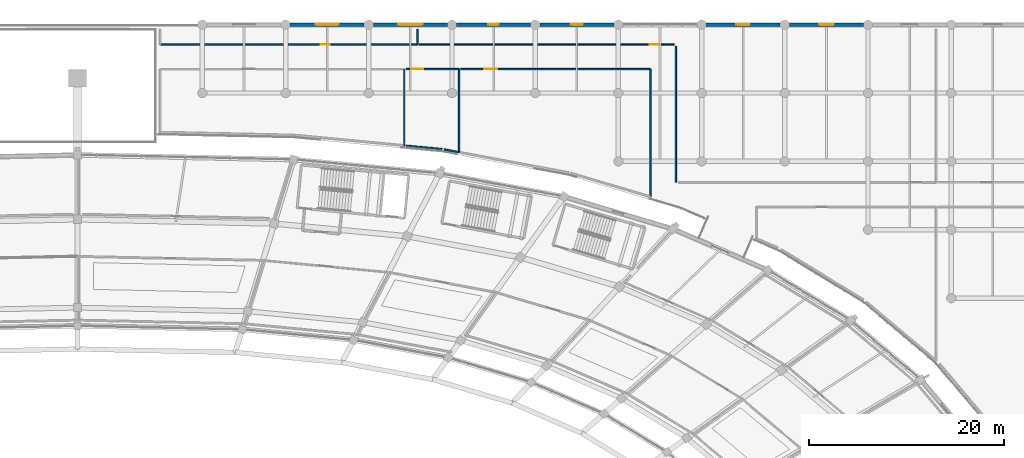
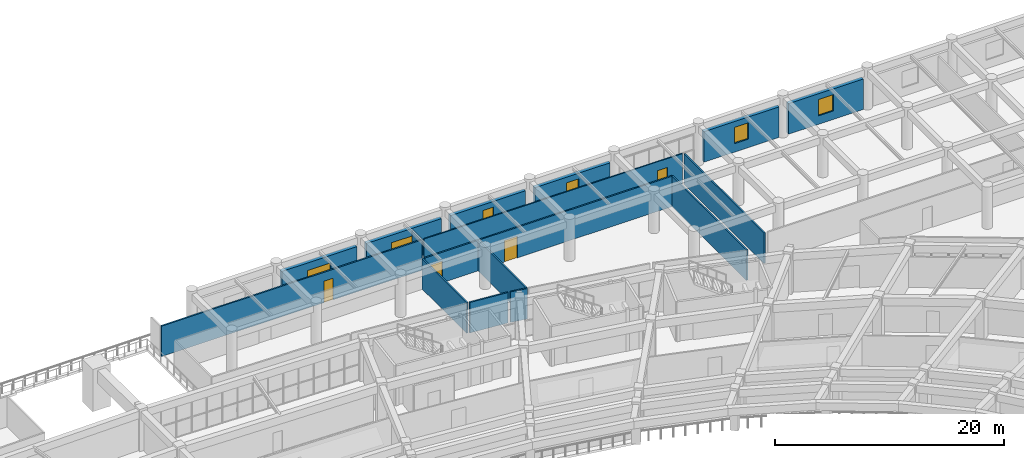
# One storey, part 113 of 145: 17 walls, 6 windows, 4 doors, 10 openings.
"""IFC4 building model written with IfcOpenShell, lengths in metres."""

from ifc_helpers import new_model, si_unit, direction, frame, frame_2d, origin, place, context, subcontext, project, spatial, rectangle, extrude, material, layer, layer_set, type_object, element, fill, save


model = new_model("IFC4")

# Units and contexts
model_context = context("Model", 3, precision=1e-05, world=origin(), true_north=direction((0.0, 1.0)))
body_context = subcontext(model_context, "Body", "Model", "MODEL_VIEW")
ifc_project = project(units=[si_unit("LENGTHUNIT", "METRE"), si_unit("AREAUNIT", "SQUARE_METRE"), si_unit("VOLUMEUNIT", "CUBIC_METRE"), si_unit("PLANEANGLEUNIT", "RADIAN"), si_unit("MASSUNIT", "GRAM", prefix="KILO")], contexts=[model_context])

# Site, building, storey
site_placement = place(None, origin())
site = spatial("IfcSite", under=ifc_project, at=site_placement, CompositionType="ELEMENT")
building_placement = place(site_placement, origin())
building = spatial("IfcBuilding", under=site, at=building_placement, Name="Mphavela Belvedere Stadium", CompositionType="ELEMENT")
storey_placement = place(building_placement, frame((0.0, 0.0, 10.199951171875)))
storey = spatial("IfcBuildingStorey", under=building, at=storey_placement, Name="L02", CompositionType="ELEMENT", Elevation=10.199951171875)

# Wall, opening, window
ifc_material_1 = material(Name="Honed ashlar limestone masonry", Category="masonry")
ifc_layer_1 = layer(ifc_material_1, 0.35009765625)
ifc_layer_set_1 = layer_set([ifc_layer_1], Name="Honed ashlar limestone masonry")
wall_type_1 = type_object("IfcWallType", Name="WAL-EXT-ASHLAR-350", PredefinedType="STANDARD", material=ifc_layer_set_1)
wall_1_placement = place(storey_placement, frame((136.76904296875, 174.0, 0.0), z_axis=(0.0, 0.0, 1.0), x_axis=(1.0, 0.0, 0.0)))
wall_1 = element("IfcWall", 1, at=wall_1_placement, inside=storey, type_object=wall_type_1, Name="North Mast and Ceremonial End Forecourt outer facade bay L02-17", PredefinedType="STANDARD", context=body_context, shape_type="SweptSolid", body=[
    extrude(rectangle(XDim=7.572998046875, YDim=0.35009765625, at=frame_2d((3.78662109375, 0.0))), origin(), (0.0, 0.0, 1.0), 3.260009765625),
])
opening_1_placement = place(wall_1_placement, frame((2.6064453125, 0.0, 0.89990234375)))
opening_1 = element("IfcOpeningElement", 2, at=opening_1_placement, cuts=wall_1, Name="Opening W-186", PredefinedType="OPENING", context=body_context, shape_type="SweptSolid", body=[
    extrude(rectangle(XDim=2.360107421875, YDim=1.550048828125, at=frame_2d((1.18017578125, 0.77490234375))), frame((0.0, 0.18505859375, 0.0), z_axis=(0.0, -1.0, 0.0), x_axis=(1.0, 0.0, 0.0)), (0.0, 0.0, 1.0), 0.3701171875),
])
ifc_material_2 = material(Name="Bronze-anodised thermally broken aluminium window", Category="aluminium")
window_type_1 = type_object("IfcWindowType", Name="WIN-EXT-10", PartitioningType="SINGLE_PANEL", PredefinedType="WINDOW", material=ifc_material_2)
window_1_placement = place(opening_1_placement, origin())
window_1 = element("IfcWindow", 3, at=window_1_placement, inside=storey, type_object=window_type_1, Name="North Mast and Ceremonial End Forecourt classical window W-186", OverallHeight=1.550048828125, OverallWidth=2.360107421875, PartitioningType="SINGLE_PANEL", PredefinedType="WINDOW", context=body_context, shape_type="SweptSolid", body=[
    extrude(rectangle(XDim=2.360107421875, YDim=1.550048828125, at=frame_2d((1.18017578125, 0.77490234375))), frame((0.0, 0.030029296875, 0.0), z_axis=(0.0, -1.0, 0.0), x_axis=(1.0, 0.0, 0.0)), (0.0, 0.0, 1.0), 0.06005859375),
])
fill(opening_1, window_1)

wall_2_placement = place(storey_placement, frame((145.2880859375, 174.0, 0.0), z_axis=(0.0, 0.0, 1.0), x_axis=(1.0, 0.0, 0.0)))
wall_2 = element("IfcWall", 4, at=wall_2_placement, inside=storey, type_object=wall_type_1, Name="North Mast and Ceremonial End Forecourt outer facade bay L02-18", PredefinedType="STANDARD", context=body_context, shape_type="SweptSolid", body=[
    extrude(rectangle(XDim=7.572021484375, YDim=0.35009765625, at=frame_2d((3.7861328125, 0.0))), origin(), (0.0, 0.0, 1.0), 3.260009765625),
])
opening_2_placement = place(wall_2_placement, frame((2.52587890625, 0.0, 0.89990234375)))
opening_2 = element("IfcOpeningElement", 5, at=opening_2_placement, cuts=wall_2, Name="Opening W-187", PredefinedType="OPENING", context=body_context, shape_type="SweptSolid", body=[
    extrude(rectangle(XDim=2.52001953125, YDim=1.550048828125, at=frame_2d((1.260009765625, 0.77490234375))), frame((0.0, 0.18505859375, 0.0), z_axis=(0.0, -1.0, 0.0), x_axis=(1.0, 0.0, 0.0)), (0.0, 0.0, 1.0), 0.3701171875),
])
ifc_material_3 = material(Name="Bronze-anodised thermally broken aluminium window", Category="aluminium")
window_type_2 = type_object("IfcWindowType", Name="WIN-EXT-11", PartitioningType="SINGLE_PANEL", PredefinedType="WINDOW", material=ifc_material_3)
window_2_placement = place(opening_2_placement, origin())
window_2 = element("IfcWindow", 6, at=window_2_placement, inside=storey, type_object=window_type_2, Name="North Mast and Ceremonial End Forecourt classical window W-187", OverallHeight=1.550048828125, OverallWidth=2.52001953125, PartitioningType="SINGLE_PANEL", PredefinedType="WINDOW", context=body_context, shape_type="SweptSolid", body=[
    extrude(rectangle(XDim=2.52001953125, YDim=1.550048828125, at=frame_2d((1.260009765625, 0.77490234375))), frame((0.0, 0.030029296875, 0.0), z_axis=(0.0, -1.0, 0.0), x_axis=(1.0, 0.0, 0.0)), (0.0, 0.0, 1.0), 0.06005859375),
])
fill(opening_2, window_2)

wall_3_placement = place(storey_placement, frame((153.805908203125, 174.0, 0.0), z_axis=(0.0, 0.0, 1.0), x_axis=(1.0, 0.0, 0.0)))
wall_3 = element("IfcWall", 7, at=wall_3_placement, inside=storey, type_object=wall_type_1, Name="North Mast and Ceremonial End Forecourt outer facade bay L02-19", PredefinedType="STANDARD", context=body_context, shape_type="SweptSolid", body=[
    extrude(rectangle(XDim=7.572998046875, YDim=0.35009765625, at=frame_2d((3.78662109375, 0.0))), origin(), (0.0, 0.0, 1.0), 3.260009765625),
])
opening_3_placement = place(wall_3_placement, frame((3.236572265625, 0.0, 0.89990234375)))
opening_3 = element("IfcOpeningElement", 8, at=opening_3_placement, cuts=wall_3, Name="Opening W-188", PredefinedType="OPENING", context=body_context, shape_type="SweptSolid", body=[
    extrude(rectangle(XDim=1.10009765625, YDim=1.75, at=frame_2d((0.550048828125, 0.875))), frame((0.0, 0.18505859375, 0.0), z_axis=(0.0, -1.0, 0.0), x_axis=(1.0, 0.0, 0.0)), (0.0, 0.0, 1.0), 0.3701171875),
])
ifc_material_4 = material(Name="Bronze-anodised thermally broken aluminium window", Category="aluminium")
window_type_3 = type_object("IfcWindowType", Name="WIN-EXT-12", PartitioningType="SINGLE_PANEL", PredefinedType="WINDOW", material=ifc_material_4)
window_3_placement = place(opening_3_placement, origin())
window_3 = element("IfcWindow", 9, at=window_3_placement, inside=storey, type_object=window_type_3, Name="North Mast and Ceremonial End Forecourt classical window W-188", OverallHeight=1.75, OverallWidth=1.10009765625, PartitioningType="SINGLE_PANEL", PredefinedType="WINDOW", context=body_context, shape_type="SweptSolid", body=[
    extrude(rectangle(XDim=1.10009765625, YDim=1.75, at=frame_2d((0.550048828125, 0.875))), frame((0.0, 0.030029296875, 0.0), z_axis=(0.0, -1.0, 0.0), x_axis=(1.0, 0.0, 0.0)), (0.0, 0.0, 1.0), 0.06005859375),
])
fill(opening_3, window_3)

wall_4_placement = place(storey_placement, frame((162.324951171875, 174.0, 0.0), z_axis=(0.0, 0.0, 1.0), x_axis=(1.0, 0.0, 0.0)))
wall_4 = element("IfcWall", 10, at=wall_4_placement, inside=storey, type_object=wall_type_1, Name="North Mast and Ceremonial End Forecourt outer facade bay L02-20", PredefinedType="STANDARD", context=body_context, shape_type="SweptSolid", body=[
    extrude(rectangle(XDim=7.572021484375, YDim=0.35009765625, at=frame_2d((3.7861328125, 0.0))), origin(), (0.0, 0.0, 1.0), 3.260009765625),
])
opening_4_placement = place(wall_4_placement, frame((3.166015625, 0.0, 0.89990234375)))
opening_4 = element("IfcOpeningElement", 11, at=opening_4_placement, cuts=wall_4, Name="Opening W-189", PredefinedType="OPENING", context=body_context, shape_type="SweptSolid", body=[
    extrude(rectangle(XDim=1.239990234375, YDim=1.75, at=frame_2d((0.6201171875, 0.875))), frame((0.0, 0.18505859375, 0.0), z_axis=(0.0, -1.0, 0.0), x_axis=(1.0, 0.0, 0.0)), (0.0, 0.0, 1.0), 0.3701171875),
])
ifc_material_5 = material(Name="Bronze-anodised thermally broken aluminium window", Category="aluminium")
window_type_4 = type_object("IfcWindowType", Name="WIN-EXT-13", PartitioningType="SINGLE_PANEL", PredefinedType="WINDOW", material=ifc_material_5)
window_4_placement = place(opening_4_placement, origin())
window_4 = element("IfcWindow", 12, at=window_4_placement, inside=storey, type_object=window_type_4, Name="North Mast and Ceremonial End Forecourt classical window W-189", OverallHeight=1.75, OverallWidth=1.239990234375, PartitioningType="SINGLE_PANEL", PredefinedType="WINDOW", context=body_context, shape_type="SweptSolid", body=[
    extrude(rectangle(XDim=1.239990234375, YDim=1.75, at=frame_2d((0.6201171875, 0.875))), frame((0.0, 0.030029296875, 0.0), z_axis=(0.0, -1.0, 0.0), x_axis=(1.0, 0.0, 0.0)), (0.0, 0.0, 1.0), 0.06005859375),
])
fill(opening_4, window_4)

wall_5_placement = place(storey_placement, frame((179.362060546875, 174.0, 0.0), z_axis=(0.0, 0.0, 1.0), x_axis=(1.0, 0.0, 0.0)))
wall_5 = element("IfcWall", 13, at=wall_5_placement, inside=storey, type_object=wall_type_1, Name="North Mast and Ceremonial End Forecourt outer facade bay L02-22", PredefinedType="STANDARD", context=body_context, shape_type="SweptSolid", body=[
    extrude(rectangle(XDim=7.572021484375, YDim=0.35009765625, at=frame_2d((3.7861328125, 0.0))), origin(), (0.0, 0.0, 1.0), 3.260009765625),
])
opening_5_placement = place(wall_5_placement, frame((3.095947265625, 0.0, 0.89990234375)))
opening_5 = element("IfcOpeningElement", 14, at=opening_5_placement, cuts=wall_5, Name="Opening W-190", PredefinedType="OPENING", context=body_context, shape_type="SweptSolid", body=[
    extrude(rectangle(XDim=1.3798828125, YDim=1.75, at=frame_2d((0.68994140625, 0.875))), frame((0.0, 0.18505859375, 0.0), z_axis=(0.0, -1.0, 0.0), x_axis=(1.0, 0.0, 0.0)), (0.0, 0.0, 1.0), 0.3701171875),
])
ifc_material_6 = material(Name="Bronze-anodised thermally broken aluminium window", Category="aluminium")
window_type_5 = type_object("IfcWindowType", Name="WIN-EXT-14", PartitioningType="SINGLE_PANEL", PredefinedType="WINDOW", material=ifc_material_6)
window_5_placement = place(opening_5_placement, origin())
window_5 = element("IfcWindow", 15, at=window_5_placement, inside=storey, type_object=window_type_5, Name="North Mast and Ceremonial End Forecourt classical window W-190", OverallHeight=1.75, OverallWidth=1.3798828125, PartitioningType="SINGLE_PANEL", PredefinedType="WINDOW", context=body_context, shape_type="SweptSolid", body=[
    extrude(rectangle(XDim=1.3798828125, YDim=1.75, at=frame_2d((0.68994140625, 0.875))), frame((0.0, 0.030029296875, 0.0), z_axis=(0.0, -1.0, 0.0), x_axis=(1.0, 0.0, 0.0)), (0.0, 0.0, 1.0), 0.06005859375),
])
fill(opening_5, window_5)

wall_6_placement = place(storey_placement, frame((187.8798828125, 174.0, 0.0), z_axis=(0.0, 0.0, 1.0), x_axis=(1.0, 0.0, 0.0)))
wall_6 = element("IfcWall", 16, at=wall_6_placement, inside=storey, type_object=wall_type_1, Name="North Mast and Ceremonial End Forecourt outer facade bay L02-23", PredefinedType="STANDARD", context=body_context, shape_type="SweptSolid", body=[
    extrude(rectangle(XDim=7.572998046875, YDim=0.35009765625, at=frame_2d((3.78662109375, 0.0))), origin(), (0.0, 0.0, 1.0), 3.260009765625),
])
opening_6_placement = place(wall_6_placement, frame((3.026611328125, 0.0, 0.89990234375)))
opening_6 = element("IfcOpeningElement", 17, at=opening_6_placement, cuts=wall_6, Name="Opening W-191", PredefinedType="OPENING", context=body_context, shape_type="SweptSolid", body=[
    extrude(rectangle(XDim=1.52001953125, YDim=1.75, at=frame_2d((0.760009765625, 0.875))), frame((0.0, 0.18505859375, 0.0), z_axis=(0.0, -1.0, 0.0), x_axis=(1.0, 0.0, 0.0)), (0.0, 0.0, 1.0), 0.3701171875),
])
ifc_material_7 = material(Name="Bronze-anodised thermally broken aluminium window", Category="aluminium")
window_type_6 = type_object("IfcWindowType", Name="WIN-EXT-15", PartitioningType="SINGLE_PANEL", PredefinedType="WINDOW", material=ifc_material_7)
window_6_placement = place(opening_6_placement, origin())
window_6 = element("IfcWindow", 18, at=window_6_placement, inside=storey, type_object=window_type_6, Name="North Mast and Ceremonial End Forecourt classical window W-191", OverallHeight=1.75, OverallWidth=1.52001953125, PartitioningType="SINGLE_PANEL", PredefinedType="WINDOW", context=body_context, shape_type="SweptSolid", body=[
    extrude(rectangle(XDim=1.52001953125, YDim=1.75, at=frame_2d((0.760009765625, 0.875))), frame((0.0, 0.030029296875, 0.0), z_axis=(0.0, -1.0, 0.0), x_axis=(1.0, 0.0, 0.0)), (0.0, 0.0, 1.0), 0.06005859375),
])
fill(opening_6, window_6)

# Wall, opening, door
ifc_material_8 = material(Name="Moisture-resistant sanitary partition assembly")
ifc_layer_2 = layer(ifc_material_8, 0.125)
ifc_layer_set_2 = layer_set([ifc_layer_2], Name="Moisture-resistant sanitary partition assembly")
wall_type_2 = type_object("IfcWallType", Name="WAL-PART-125", PredefinedType="PARTITIONING", material=ifc_layer_set_2)
wall_7_placement = place(storey_placement, frame((176.10009765625, 171.9599609375, 0.0), z_axis=(0.0, 0.0, 1.0), x_axis=(-1.0, 0.0, 0.0)))
wall_7 = element("IfcWall", 19, at=wall_7_placement, inside=storey, type_object=wall_type_2, Name="Room L02-179 corridor partition", PredefinedType="PARTITIONING", context=body_context, shape_type="SweptSolid", body=[
    extrude(rectangle(XDim=26.10009765625, YDim=0.125, at=frame_2d((13.050048828125, 0.0))), origin(), (0.0, 0.0, 1.0), 3.25),
])
opening_7_placement = place(wall_7_placement, frame((1.5439453125, 0.0, 0.0)))
opening_7 = element("IfcOpeningElement", 20, at=opening_7_placement, cuts=wall_7, Name="Opening ID-459", PredefinedType="OPENING", context=body_context, shape_type="SweptSolid", body=[
    extrude(rectangle(XDim=0.97998046875, YDim=2.300048828125, at=frame_2d((0.489990234375, 1.14990234375))), frame((0.0, 0.072509765625, 0.0), z_axis=(0.0, -1.0, 0.0), x_axis=(1.0, 0.0, 0.0)), (0.0, 0.0, 1.0), 0.14501953125),
])
ifc_material_9 = material(Name="Hardwood acoustic timber doorset", Category="wood")
door_type_1 = type_object("IfcDoorType", Name="DR-INT-27", OperationType="NOTDEFINED", PredefinedType="DOOR", material=ifc_material_9)
door_1_placement = place(opening_7_placement, origin())
door_1 = element("IfcDoor", 21, at=door_1_placement, inside=storey, type_object=door_type_1, Name="Room L02-179 entrance door ID-459", OperationType="SINGLE_SWING_LEFT", OverallHeight=2.300048828125, OverallWidth=0.97998046875, PredefinedType="DOOR", context=body_context, shape_type="SweptSolid", body=[
    extrude(rectangle(XDim=0.97998046875, YDim=2.300048828125, at=frame_2d((0.489990234375, 1.14990234375))), frame((0.0, 0.02490234375, 0.0), z_axis=(0.0, -1.0, 0.0), x_axis=(1.0, 0.0, 0.0)), (0.0, 0.0, 1.0), 0.050048828125),
])
fill(opening_7, door_1)

ifc_material_10 = material(Name="Acoustic gypsum stud partition assembly")
ifc_layer_3 = layer(ifc_material_10, 0.14990234375)
ifc_layer_set_3 = layer_set([ifc_layer_3], Name="Acoustic gypsum stud partition assembly")
wall_type_3 = type_object("IfcWallType", Name="WAL-PART-150", PredefinedType="PARTITIONING", material=ifc_layer_set_3)
wall_8_placement = place(storey_placement, frame((149.800048828125, 171.9599609375, 0.0), z_axis=(0.0, 0.0, 1.0), x_axis=(-1.0, 0.0, 0.0)))
wall_8 = element("IfcWall", 22, at=wall_8_placement, inside=storey, type_object=wall_type_3, Name="Room L02-178 corridor partition", PredefinedType="PARTITIONING", context=body_context, shape_type="SweptSolid", body=[
    extrude(rectangle(XDim=26.300048828125, YDim=0.14990234375, at=frame_2d((13.14990234375, 0.0))), origin(), (0.0, 0.0, 1.0), 3.25),
])
opening_8_placement = place(wall_8_placement, frame((8.971923828125, 0.0, 0.0)))
opening_8 = element("IfcOpeningElement", 23, at=opening_8_placement, cuts=wall_8, Name="Opening ID-458", PredefinedType="OPENING", context=body_context, shape_type="SweptSolid", body=[
    extrude(rectangle(XDim=0.93994140625, YDim=2.300048828125, at=frame_2d((0.469970703125, 1.14990234375))), frame((0.0, 0.0849609375, 0.0), z_axis=(0.0, -1.0, 0.0), x_axis=(1.0, 0.0, 0.0)), (0.0, 0.0, 1.0), 0.169921875),
])
ifc_material_11 = material(Name="Hardwood acoustic timber doorset", Category="wood")
door_type_2 = type_object("IfcDoorType", Name="DR-INT-26", OperationType="NOTDEFINED", PredefinedType="DOOR", material=ifc_material_11)
door_2_placement = place(opening_8_placement, origin())
door_2 = element("IfcDoor", 24, at=door_2_placement, inside=storey, type_object=door_type_2, Name="Room L02-178 entrance door ID-458", OperationType="SINGLE_SWING_RIGHT", OverallHeight=2.300048828125, OverallWidth=0.93994140625, PredefinedType="DOOR", context=body_context, shape_type="SweptSolid", body=[
    extrude(rectangle(XDim=0.93994140625, YDim=2.300048828125, at=frame_2d((0.469970703125, 1.14990234375))), frame((0.0, 0.02490234375, 0.0), z_axis=(0.0, -1.0, 0.0), x_axis=(1.0, 0.0, 0.0)), (0.0, 0.0, 1.0), 0.050048828125),
])
fill(opening_8, door_2)

wall_9_placement = place(storey_placement, frame((148.64501953125, 169.43994140625, 0.0), z_axis=(0.0, 0.0, 1.0), x_axis=(1.0, 0.0, 0.0)))
wall_9 = element("IfcWall", 25, at=wall_9_placement, inside=storey, type_object=wall_type_3, Name="Room L02-186 corridor partition", PredefinedType="PARTITIONING", context=body_context, shape_type="SweptSolid", body=[
    extrude(rectangle(XDim=5.419921875, YDim=0.14990234375, at=frame_2d((2.7099609375, 0.0))), origin(), (0.0, 0.0, 1.0), 3.25),
])
opening_9_placement = place(wall_9_placement, frame((0.49609375, 0.0, 0.0)))
opening_9 = element("IfcOpeningElement", 26, at=opening_9_placement, cuts=wall_9, Name="Opening ID-466", PredefinedType="OPENING", context=body_context, shape_type="SweptSolid", body=[
    extrude(rectangle(XDim=1.260009765625, YDim=2.300048828125, at=frame_2d((0.6298828125, 1.14990234375))), frame((0.0, 0.0849609375, 0.0), z_axis=(0.0, -1.0, 0.0), x_axis=(1.0, 0.0, 0.0)), (0.0, 0.0, 1.0), 0.169921875),
])
ifc_material_12 = material(Name="Hardwood acoustic timber doorset", Category="wood")
door_type_3 = type_object("IfcDoorType", Name="DR-INT-34", OperationType="NOTDEFINED", PredefinedType="DOOR", material=ifc_material_12)
door_3_placement = place(opening_9_placement, origin())
door_3 = element("IfcDoor", 27, at=door_3_placement, inside=storey, type_object=door_type_3, Name="Room L02-186 entrance door ID-466", OperationType="SINGLE_SWING_RIGHT", OverallHeight=2.300048828125, OverallWidth=1.260009765625, PredefinedType="DOOR", context=body_context, shape_type="SweptSolid", body=[
    extrude(rectangle(XDim=1.260009765625, YDim=2.300048828125, at=frame_2d((0.6298828125, 1.14990234375))), frame((0.0, 0.02490234375, 0.0), z_axis=(0.0, -1.0, 0.0), x_axis=(1.0, 0.0, 0.0)), (0.0, 0.0, 1.0), 0.050048828125),
])
fill(opening_9, door_3)

wall_10_placement = place(storey_placement, frame((154.22509765625, 169.43994140625, 0.0), z_axis=(0.0, 0.0, 1.0), x_axis=(1.0, 0.0, 0.0)))
wall_10 = element("IfcWall", 28, at=wall_10_placement, inside=storey, type_object=wall_type_3, Name="Room L02-187 corridor partition", PredefinedType="PARTITIONING", context=body_context, shape_type="SweptSolid", body=[
    extrude(rectangle(XDim=19.414794921875, YDim=0.14990234375, at=frame_2d((9.70751953125, 0.0))), origin(), (0.0, 0.0, 1.0), 3.25),
])
opening_10_placement = place(wall_10_placement, frame((2.41455078125, 0.0, 0.0)))
opening_10 = element("IfcOpeningElement", 29, at=opening_10_placement, cuts=wall_10, Name="Opening ID-467", PredefinedType="OPENING", context=body_context, shape_type="SweptSolid", body=[
    extrude(rectangle(XDim=1.320068359375, YDim=2.300048828125, at=frame_2d((0.66015625, 1.14990234375))), frame((0.0, 0.0849609375, 0.0), z_axis=(0.0, -1.0, 0.0), x_axis=(1.0, 0.0, 0.0)), (0.0, 0.0, 1.0), 0.169921875),
])
ifc_material_13 = material(Name="Hardwood acoustic timber doorset", Category="wood")
door_type_4 = type_object("IfcDoorType", Name="DR-INT-35", OperationType="NOTDEFINED", PredefinedType="DOOR", material=ifc_material_13)
door_4_placement = place(opening_10_placement, origin())
door_4 = element("IfcDoor", 30, at=door_4_placement, inside=storey, type_object=door_type_4, Name="Room L02-187 entrance door ID-467", OperationType="SINGLE_SWING_LEFT", OverallHeight=2.300048828125, OverallWidth=1.320068359375, PredefinedType="DOOR", context=body_context, shape_type="SweptSolid", body=[
    extrude(rectangle(XDim=1.320068359375, YDim=2.300048828125, at=frame_2d((0.66015625, 1.14990234375))), frame((0.0, 0.02490234375, 0.0), z_axis=(0.0, -1.0, 0.0), x_axis=(1.0, 0.0, 0.0)), (0.0, 0.0, 1.0), 0.050048828125),
])
fill(opening_10, door_4)

# Walls
wall_11_placement = place(storey_placement, frame((149.800048828125, 173.550048828125, 0.0), z_axis=(0.0, 0.0, 1.0), x_axis=(0.0, -1.0, 0.0)))
element("IfcWall", 31, at=wall_11_placement, inside=storey, type_object=wall_type_3, Name="Room divider partition L02-1006", PredefinedType="PARTITIONING", context=body_context, shape_type="SweptSolid", body=[
    extrude(rectangle(XDim=1.590087890625, YDim=0.14990234375, at=frame_2d((0.794921875, 0.0))), origin(), (0.0, 0.0, 1.0), 3.25),
])
wall_12_placement = place(storey_placement, frame((176.260009765625, 157.860107421875, 0.0), z_axis=(0.0, 0.0, 1.0), x_axis=(0.0, 1.0, 0.0)))
element("IfcWall", 32, at=wall_12_placement, inside=storey, type_object=wall_type_3, Name="Room divider partition L02-1007", PredefinedType="PARTITIONING", context=body_context, shape_type="SweptSolid", body=[
    extrude(rectangle(XDim=13.93994140625, YDim=0.14990234375, at=frame_2d((6.969970703125, 0.0))), origin(), (0.0, 0.0, 1.0), 3.25),
])
wall_13_placement = place(storey_placement, frame((148.445068359375, 169.43994140625, 0.0), z_axis=(0.0, 0.0, 1.0), x_axis=(0.0, -1.0, 0.0)))
element("IfcWall", 33, at=wall_13_placement, inside=storey, type_object=wall_type_3, Name="Room divider partition L02-1030", PredefinedType="PARTITIONING", context=body_context, shape_type="SweptSolid", body=[
    extrude(rectangle(XDim=7.815185546875, YDim=0.14990234375, at=frame_2d((3.90771484375, 0.0))), origin(), (0.0, 0.0, 1.0), 3.25),
])
wall_14_placement = place(storey_placement, frame((152.31005859375, 161.256103515625, 0.0), z_axis=(0.0, 0.0, 1.0), x_axis=(-0.995481155674, 0.094959300221, 0.0)))
element("IfcWall", 34, at=wall_14_placement, inside=storey, type_object=wall_type_3, Name="Room divider partition L02-1032", PredefinedType="PARTITIONING", context=body_context, shape_type="SweptSolid", body=[
    extrude(rectangle(XDim=3.681640625, YDim=0.14990234375, at=frame_2d((1.8408203125, 0.0))), origin(), (0.0, 0.0, 1.0), 3.25),
])
wall_15_placement = place(storey_placement, frame((154.06494140625, 169.43994140625, 0.0), z_axis=(0.0, 0.0, 1.0), x_axis=(0.0, -1.0, 0.0)))
element("IfcWall", 35, at=wall_15_placement, inside=storey, type_object=wall_type_3, Name="Room divider partition L02-1033", PredefinedType="PARTITIONING", context=body_context, shape_type="SweptSolid", body=[
    extrude(rectangle(XDim=8.50048828125, YDim=0.14990234375, at=frame_2d((4.250244140625, 0.0))), origin(), (0.0, 0.0, 1.0), 3.25),
])
wall_16_placement = place(storey_placement, frame((154.06494140625, 160.939453125, 0.0), z_axis=(0.0, 0.0, 1.0), x_axis=(-0.983110419565, 0.183013395528, 0.0)))
element("IfcWall", 36, at=wall_16_placement, inside=storey, type_object=wall_type_3, Name="Room divider partition L02-1034", PredefinedType="PARTITIONING", context=body_context, shape_type="SweptSolid", body=[
    extrude(rectangle(XDim=1.560791015625, YDim=0.14990234375, at=frame_2d((0.7802734375, 0.0))), origin(), (0.0, 0.0, 1.0), 3.25),
])
wall_17_placement = place(storey_placement, frame((173.639892578125, 169.43994140625, 0.0), z_axis=(0.0, 0.0, 1.0), x_axis=(0.0, -1.0, 0.0)))
element("IfcWall", 37, at=wall_17_placement, inside=storey, type_object=wall_type_3, Name="Room divider partition L02-1035", PredefinedType="PARTITIONING", context=body_context, shape_type="SweptSolid", body=[
    extrude(rectangle(XDim=13.058837890625, YDim=0.14990234375, at=frame_2d((6.529296875, 0.0))), origin(), (0.0, 0.0, 1.0), 3.25),
])

save(model, "model.ifc")
